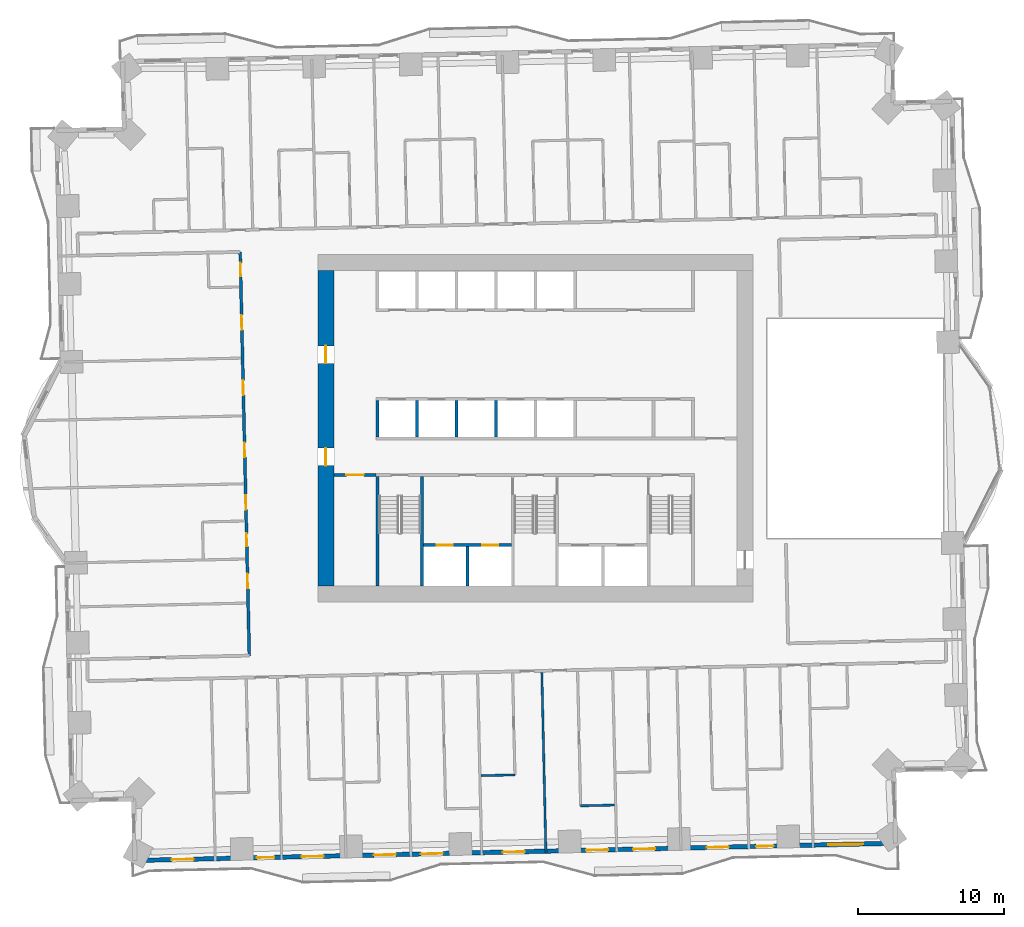
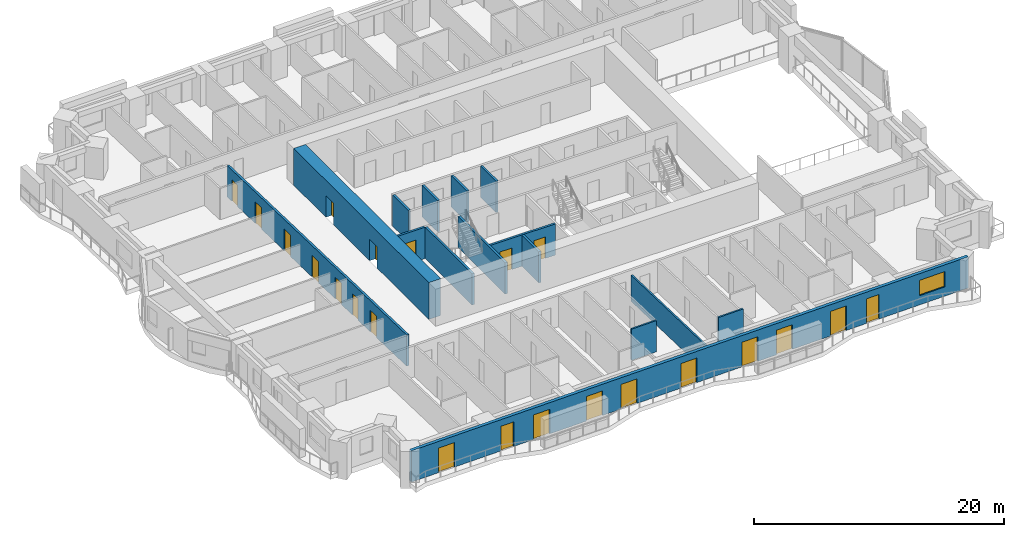
# One storey, part 6 of 16: 22 doors, 15 walls, 1 window, 23 openings.
"""IFC4 building model written with IfcOpenShell, lengths in metres."""

from ifc_helpers import new_model, si_unit, direction, frame, frame_2d, origin, place, context, subcontext, project, spatial, rectangle, extrude, material, layer, layer_set, type_object, element, fill, save


model = new_model("IFC4")

# Units and contexts
model_context = context("Model", 3, precision=1e-05, world=origin(), true_north=direction((0.0, 1.0)))
body_context = subcontext(model_context, "Body", "Model", "MODEL_VIEW")
ifc_project = project(units=[si_unit("LENGTHUNIT", "METRE"), si_unit("AREAUNIT", "SQUARE_METRE"), si_unit("VOLUMEUNIT", "CUBIC_METRE"), si_unit("PLANEANGLEUNIT", "RADIAN"), si_unit("MASSUNIT", "GRAM", prefix="KILO")], contexts=[model_context])

# Site, building, storey
site_placement = place(None, origin())
site = spatial("IfcSite", under=ifc_project, at=site_placement, CompositionType="ELEMENT")
building_placement = place(site_placement, origin())
building = spatial("IfcBuilding", under=site, at=building_placement, Name="Mangrove Gate Tower", CompositionType="ELEMENT")
storey_placement = place(building_placement, frame((0.0, 0.0, 37.699951171875)))
storey = spatial("IfcBuildingStorey", under=building, at=storey_placement, Name="L08", CompositionType="ELEMENT", Elevation=37.699951171875)

# Wall, opening, door
ifc_material_1 = material(Name="Concrete C32/40", Category="concrete")
ifc_layer_1 = layer(ifc_material_1, 0.199951171875)
ifc_layer_set_1 = layer_set([ifc_layer_1], Name="Core lobby wall 200 C32/40")
wall_type_1 = type_object("IfcWallType", Name="Core lobby wall 200 C32/40", PredefinedType="STANDARD", material=ifc_layer_set_1)
wall_1_placement = place(storey_placement, frame((-13.800048828125, -3.199951171875, 0.0), z_axis=(0.0, 0.0, 1.0), x_axis=(1.0, 0.0, 0.0)))
wall_1 = element("IfcWall", 1, at=wall_1_placement, inside=storey, type_object=wall_type_1, Name="WALL-L08-CORE-34", PredefinedType="STANDARD", context=body_context, shape_type="SweptSolid", body=[
    extrude(rectangle(XDim=2.900146484375, YDim=0.199951171875, at=frame_2d((1.4501953125, 0.0))), origin(), (0.0, 0.0, 1.0), 3.050048828125),
])
opening_1_placement = place(wall_1_placement, frame((0.85009765625, 0.0, 0.0)))
opening_1 = element("IfcOpeningElement", 2, at=opening_1_placement, cuts=wall_1, Name="Opening FL12", PredefinedType="OPENING", context=body_context, shape_type="SweptSolid", body=[
    extrude(rectangle(XDim=1.199951171875, YDim=2.10009765625, at=frame_2d((0.60009765625, 1.050048828125))), frame((0.0, 0.10986328125, 0.0), z_axis=(0.0, -1.0, 0.0), x_axis=(1.0, 0.0, 0.0)), (0.0, 0.0, 1.0), 0.219970703125),
])
ifc_material_2 = material(Name="Fire-rated steel door set", Category="steel")
door_type_1 = type_object("IfcDoorType", Name="Lobby door FD60 1200x2100", OperationType="SINGLE_SWING_LEFT", PredefinedType="DOOR", material=ifc_material_2)
door_1_placement = place(opening_1_placement, origin())
door_1 = element("IfcDoor", 3, at=door_1_placement, inside=storey, type_object=door_type_1, Name="Lobby door core corridor W partition", OperationType="SINGLE_SWING_LEFT", OverallHeight=2.10009765625, OverallWidth=1.199951171875, PredefinedType="DOOR", context=body_context, shape_type="SweptSolid", body=[
    extrude(rectangle(XDim=1.199951171875, YDim=2.10009765625, at=frame_2d((0.60009765625, 1.050048828125))), frame((0.0, 0.02490234375, 0.0), z_axis=(0.0, -1.0, 0.0), x_axis=(1.0, 0.0, 0.0)), (0.0, 0.0, 1.0), 0.050048828125),
])
fill(opening_1, door_1)

# Wall, openings, doors
ifc_material_3 = material(Name="Concrete C70/85", Category="concrete")
ifc_layer_2 = layer(ifc_material_3, 0.199951171875)
ifc_layer_set_2 = layer_set([ifc_layer_2], Name="Core shaft wall 200 C70/85")
wall_type_2 = type_object("IfcWallType", Name="Core shaft wall 200 C70/85", PredefinedType="SHEAR", material=ifc_layer_set_2)
wall_2_placement = place(storey_placement, frame((-7.64990234375, -8.0, 0.0), z_axis=(0.0, 0.0, 1.0), x_axis=(1.0, 0.0, 0.0)))
wall_2 = element("IfcWall", 4, at=wall_2_placement, inside=storey, type_object=wall_type_2, Name="WALL-L08-CORE-15", PredefinedType="SHEAR", context=body_context, shape_type="SweptSolid", body=[
    extrude(rectangle(XDim=6.0, YDim=0.199951171875, at=frame_2d((3.0, 0.0))), origin(), (0.0, 0.0, 1.0), 3.050048828125),
])
opening_2_placement = place(wall_2_placement, frame((0.89990234375, 0.0, 0.0)))
opening_2 = element("IfcOpeningElement", 5, at=opening_2_placement, cuts=wall_2, Name="Opening LD", PredefinedType="OPENING", context=body_context, shape_type="SweptSolid", body=[
    extrude(rectangle(XDim=1.10009765625, YDim=2.10009765625, at=frame_2d((0.550048828125, 1.050048828125))), frame((0.0, 0.10986328125, 0.0), z_axis=(0.0, -1.0, 0.0), x_axis=(1.0, 0.0, 0.0)), (0.0, 0.0, 1.0), 0.219970703125),
])
opening_3_placement = place(wall_2_placement, frame((4.0, 0.0, 0.0)))
opening_3 = element("IfcOpeningElement", 6, at=opening_3_placement, cuts=wall_2, Name="Opening LD", PredefinedType="OPENING", context=body_context, shape_type="SweptSolid", body=[
    extrude(rectangle(XDim=1.10009765625, YDim=2.10009765625, at=frame_2d((0.550048828125, 1.050048828125))), frame((0.0, 0.10986328125, 0.0), z_axis=(0.0, -1.0, 0.0), x_axis=(1.0, 0.0, 0.0)), (0.0, 0.0, 1.0), 0.219970703125),
])
ifc_material_4 = material(Name="Stainless steel 316", Category="steel")
door_type_2 = type_object("IfcDoorType", Name="Lift landing door 1100x2100", OperationType="SLIDING_TO_LEFT", PredefinedType="DOOR", material=ifc_material_4)
door_2_placement = place(opening_2_placement, origin())
door_2 = element("IfcDoor", 7, at=door_2_placement, inside=storey, type_object=door_type_2, Name="Landing door LD SVL1", OperationType="SLIDING_TO_LEFT", OverallHeight=2.10009765625, OverallWidth=1.10009765625, PredefinedType="DOOR", context=body_context, shape_type="SweptSolid", body=[
    extrude(rectangle(XDim=1.10009765625, YDim=2.10009765625, at=frame_2d((0.550048828125, 1.050048828125))), frame((0.0, 0.02490234375, 0.0), z_axis=(0.0, -1.0, 0.0), x_axis=(1.0, 0.0, 0.0)), (0.0, 0.0, 1.0), 0.050048828125),
])
fill(opening_2, door_2)
door_3_placement = place(opening_3_placement, origin())
door_3 = element("IfcDoor", 8, at=door_3_placement, inside=storey, type_object=door_type_2, Name="Landing door LD SVL2", OperationType="SLIDING_TO_LEFT", OverallHeight=2.10009765625, OverallWidth=1.10009765625, PredefinedType="DOOR", context=body_context, shape_type="SweptSolid", body=[
    extrude(rectangle(XDim=1.10009765625, YDim=2.10009765625, at=frame_2d((0.550048828125, 1.050048828125))), frame((0.0, 0.02490234375, 0.0), z_axis=(0.0, -1.0, 0.0), x_axis=(1.0, 0.0, 0.0)), (0.0, 0.0, 1.0), 0.050048828125),
])
fill(opening_3, door_3)

# Walls
wall_3_placement = place(storey_placement, frame((-4.64990234375, -10.800048828125, 0.0), z_axis=(0.0, 0.0, 1.0), x_axis=(0.0, 1.0, 0.0)))
element("IfcWall", 9, at=wall_3_placement, inside=storey, type_object=wall_type_2, Name="WALL-L08-CORE-16", PredefinedType="SHEAR", context=body_context, shape_type="SweptSolid", body=[
    extrude(rectangle(XDim=2.699951171875, YDim=0.199951171875, at=frame_2d((1.35009765625, 0.0))), origin(), (0.0, 0.0, 1.0), 3.050048828125),
])
for number, where, z_axis, x_axis, name in (
    (10, (-10.800048828125, -0.60009765625, 0.0), (0.0, 0.0, 1.0), (0.0, 1.0, 0.0), "WALL-L08-CORE-19"),
    (11, (-8.10009765625, -0.60009765625, 0.0), (0.0, 0.0, 1.0), (0.0, 1.0, 0.0), "WALL-L08-CORE-20"),
    (12, (-5.39990234375, -0.60009765625, 0.0), (0.0, 0.0, 1.0), (0.0, 1.0, 0.0), "WALL-L08-CORE-21"),
    (13, (-2.699951171875, -0.60009765625, 0.0), (0.0, 0.0, 1.0), (0.0, 1.0, 0.0), "WALL-L08-CORE-22"),
):
    element("IfcWall", number, at=place(storey_placement, frame(where, z_axis=z_axis, x_axis=x_axis)), inside=storey, type_object=wall_type_2, Name=name, PredefinedType="SHEAR", context=body_context, shape_type="SweptSolid", body=[
        extrude(rectangle(XDim=2.5, YDim=0.199951171875, at=frame_2d((1.25, 0.0))), origin(), (0.0, 0.0, 1.0), 3.050048828125),
    ])
ifc_material_5 = material(Name="Concrete C70/85", Category="concrete")
ifc_layer_3 = layer(ifc_material_5, 0.199951171875)
ifc_layer_set_3 = layer_set([ifc_layer_3], Name="Core stair wall 200 C70/85")
wall_type_3 = type_object("IfcWallType", Name="Core stair wall 200 C70/85", PredefinedType="SHEAR", material=ifc_layer_set_3)
for number, where, z_axis, x_axis, name in (
    (14, (-10.800048828125, -10.800048828125, 0.0), (0.0, 0.0, 1.0), (0.0, 1.0, 0.0), "WALL-L08-CORE-9"),
    (15, (-7.75, -10.800048828125, 0.0), (0.0, 0.0, 1.0), (0.0, 1.0, 0.0), "WALL-L08-CORE-10"),
):
    element("IfcWall", number, at=place(storey_placement, frame(where, z_axis=z_axis, x_axis=x_axis)), inside=storey, type_object=wall_type_3, Name=name, PredefinedType="SHEAR", context=body_context, shape_type="SweptSolid", body=[
        extrude(rectangle(XDim=7.5, YDim=0.199951171875, at=frame_2d((3.75, 0.0))), origin(), (0.0, 0.0, 1.0), 3.050048828125),
    ])

# Wall, openings, doors
ifc_material_6 = material(Name="Concrete C70/85", Category="concrete")
ifc_layer_4 = layer(ifc_material_6, 1.10009765625)
ifc_layer_set_4 = layer_set([ifc_layer_4], Name="Core wall 1100 C70/85")
wall_type_4 = type_object("IfcWallType", Name="Core wall 1100 C70/85", PredefinedType="SHEAR", material=ifc_layer_set_4)
wall_4_placement = place(storey_placement, frame((-14.35009765625, -10.800048828125, 0.0), z_axis=(0.0, 0.0, 1.0), x_axis=(0.0, 1.0, 0.0)))
wall_4 = element("IfcWall", 16, at=wall_4_placement, inside=storey, type_object=wall_type_4, Name="WALL-L08-CORE-3", PredefinedType="SHEAR", context=body_context, shape_type="SweptSolid", body=[
    extrude(rectangle(XDim=21.60009765625, YDim=1.10009765625, at=frame_2d((10.800048828125, 0.0))), origin(), (0.0, 0.0, 1.0), 3.60009765625),
])
opening_4_placement = place(wall_4_placement, frame((8.25, 0.0, 0.0)))
opening_4 = element("IfcOpeningElement", 17, at=opening_4_placement, cuts=wall_4, Name="Opening CD", PredefinedType="OPENING", context=body_context, shape_type="SweptSolid", body=[
    extrude(rectangle(XDim=1.199951171875, YDim=2.10009765625, at=frame_2d((0.60009765625, 1.050048828125))), frame((0.0, 0.56005859375, 0.0), z_axis=(0.0, -1.0, 0.0), x_axis=(1.0, 0.0, 0.0)), (0.0, 0.0, 1.0), 1.1201171875),
])
opening_5_placement = place(wall_4_placement, frame((15.25, 0.0, 0.0)))
opening_5 = element("IfcOpeningElement", 18, at=opening_5_placement, cuts=wall_4, Name="Opening CD", PredefinedType="OPENING", context=body_context, shape_type="SweptSolid", body=[
    extrude(rectangle(XDim=1.199951171875, YDim=2.10009765625, at=frame_2d((0.60009765625, 1.050048828125))), frame((0.0, 0.56005859375, 0.0), z_axis=(0.0, -1.0, 0.0), x_axis=(1.0, 0.0, 0.0)), (0.0, 0.0, 1.0), 1.1201171875),
])
ifc_material_7 = material(Name="Fire-rated steel door set", Category="steel")
door_type_3 = type_object("IfcDoorType", Name="Core ring door FD60 1200x2100", OperationType="DOUBLE_DOOR_SINGLE_SWING", PredefinedType="DOOR", material=ifc_material_7)
door_4_placement = place(opening_4_placement, origin())
door_4 = element("IfcDoor", 19, at=door_4_placement, inside=storey, type_object=door_type_3, Name="Core ring door W1", OperationType="DOUBLE_DOOR_SINGLE_SWING", OverallHeight=2.10009765625, OverallWidth=1.199951171875, PredefinedType="DOOR", context=body_context, shape_type="SweptSolid", body=[
    extrude(rectangle(XDim=1.199951171875, YDim=2.10009765625, at=frame_2d((0.60009765625, 1.050048828125))), frame((0.0, 0.02490234375, 0.0), z_axis=(0.0, -1.0, 0.0), x_axis=(1.0, 0.0, 0.0)), (0.0, 0.0, 1.0), 0.050048828125),
])
fill(opening_4, door_4)
door_5_placement = place(opening_5_placement, origin())
door_5 = element("IfcDoor", 20, at=door_5_placement, inside=storey, type_object=door_type_3, Name="Core ring door W2", OperationType="DOUBLE_DOOR_SINGLE_SWING", OverallHeight=2.10009765625, OverallWidth=1.199951171875, PredefinedType="DOOR", context=body_context, shape_type="SweptSolid", body=[
    extrude(rectangle(XDim=1.199951171875, YDim=2.10009765625, at=frame_2d((0.60009765625, 1.050048828125))), frame((0.0, 0.02490234375, 0.0), z_axis=(0.0, -1.0, 0.0), x_axis=(1.0, 0.0, 0.0)), (0.0, 0.0, 1.0), 0.050048828125),
])
fill(opening_5, door_5)

ifc_material_8 = material(Name="Gypsum board on steel stud, EI 60", Category="steel")
ifc_layer_5 = layer(ifc_material_8, 0.199951171875)
ifc_layer_set_5 = layer_set([ifc_layer_5], Name="Corridor wall EI 60")
wall_type_5 = type_object("IfcWallType", Name="Corridor wall EI 60", PredefinedType="PARTITIONING", material=ifc_layer_set_5)
wall_5_placement = place(storey_placement, frame((-19.589111328125, -15.56201171875, 0.0), z_axis=(0.0, 0.0, 1.0), x_axis=(-0.02267447203, 0.999742901109, 0.0)))
wall_5 = element("IfcWall", 21, at=wall_5_placement, inside=storey, type_object=wall_type_5, Name="WALL-L08-036", PredefinedType="PARTITIONING", context=body_context, shape_type="SweptSolid", body=[
    extrude(rectangle(XDim=27.650146484375, YDim=0.199951171875, at=frame_2d((13.8251953125, 0.0))), origin(), (0.0, 0.0, 1.0), 3.050048828125),
])
opening_6_placement = place(wall_5_placement, frame((22.31298828125, 0.0, 0.0)))
opening_6 = element("IfcOpeningElement", 22, at=opening_6_placement, cuts=wall_5, Name="Opening AD", PredefinedType="OPENING", context=body_context, shape_type="SweptSolid", body=[
    extrude(rectangle(XDim=1.0, YDim=2.10009765625, at=frame_2d((0.5, 1.050048828125))), frame((0.0, 0.10986328125, 0.0), z_axis=(0.0, -1.0, 0.0), x_axis=(1.0, 0.0, 0.0)), (0.0, 0.0, 1.0), 0.219970703125),
])
opening_7_placement = place(wall_5_placement, frame((26.0, 0.0, 0.0)))
opening_7 = element("IfcOpeningElement", 23, at=opening_7_placement, cuts=wall_5, Name="Opening SD", PredefinedType="OPENING", context=body_context, shape_type="SweptSolid", body=[
    extrude(rectangle(XDim=0.89990234375, YDim=2.10009765625, at=frame_2d((0.449951171875, 1.050048828125))), frame((0.0, 0.10986328125, 0.0), z_axis=(0.0, -1.0, 0.0), x_axis=(1.0, 0.0, 0.0)), (0.0, 0.0, 1.0), 0.219970703125),
])
opening_8_placement = place(wall_5_placement, frame((17.843017578125, 0.0, 0.0)))
opening_8 = element("IfcOpeningElement", 24, at=opening_8_placement, cuts=wall_5, Name="Opening AD", PredefinedType="OPENING", context=body_context, shape_type="SweptSolid", body=[
    extrude(rectangle(XDim=1.0, YDim=2.10009765625, at=frame_2d((0.5, 1.050048828125))), frame((0.0, 0.10986328125, 0.0), z_axis=(0.0, -1.0, 0.0), x_axis=(1.0, 0.0, 0.0)), (0.0, 0.0, 1.0), 0.219970703125),
])
opening_9_placement = place(wall_5_placement, frame((13.592041015625, 0.0, 0.0)))
opening_9 = element("IfcOpeningElement", 25, at=opening_9_placement, cuts=wall_5, Name="Opening AD", PredefinedType="OPENING", context=body_context, shape_type="SweptSolid", body=[
    extrude(rectangle(XDim=1.0, YDim=2.10009765625, at=frame_2d((0.5, 1.050048828125))), frame((0.0, 0.10986328125, 0.0), z_axis=(0.0, -1.0, 0.0), x_axis=(1.0, 0.0, 0.0)), (0.0, 0.0, 1.0), 0.219970703125),
])
opening_10_placement = place(wall_5_placement, frame((10.0, 0.0, 0.0)))
opening_10 = element("IfcOpeningElement", 26, at=opening_10_placement, cuts=wall_5, Name="Opening AD", PredefinedType="OPENING", context=body_context, shape_type="SweptSolid", body=[
    extrude(rectangle(XDim=1.0, YDim=2.10009765625, at=frame_2d((0.5, 1.050048828125))), frame((0.0, 0.10986328125, 0.0), z_axis=(0.0, -1.0, 0.0), x_axis=(1.0, 0.0, 0.0)), (0.0, 0.0, 1.0), 0.219970703125),
])
opening_11_placement = place(wall_5_placement, frame((7.47509765625, 0.0, 0.0)))
opening_11 = element("IfcOpeningElement", 27, at=opening_11_placement, cuts=wall_5, Name="Opening SD", PredefinedType="OPENING", context=body_context, shape_type="SweptSolid", body=[
    extrude(rectangle(XDim=0.89990234375, YDim=2.10009765625, at=frame_2d((0.449951171875, 1.050048828125))), frame((0.0, 0.10986328125, 0.0), z_axis=(0.0, -1.0, 0.0), x_axis=(1.0, 0.0, 0.0)), (0.0, 0.0, 1.0), 0.219970703125),
])
opening_12_placement = place(wall_5_placement, frame((4.613037109375, 0.0, 0.0)))
opening_12 = element("IfcOpeningElement", 28, at=opening_12_placement, cuts=wall_5, Name="Opening AD", PredefinedType="OPENING", context=body_context, shape_type="SweptSolid", body=[
    extrude(rectangle(XDim=1.0, YDim=2.10009765625, at=frame_2d((0.5, 1.050048828125))), frame((0.0, 0.10986328125, 0.0), z_axis=(0.0, -1.0, 0.0), x_axis=(1.0, 0.0, 0.0)), (0.0, 0.0, 1.0), 0.219970703125),
])
ifc_material_9 = material(Name="Timber door leaf", Category="wood")
door_type_4 = type_object("IfcDoorType", Name="Amenity door 1000", OperationType="SINGLE_SWING_LEFT", PredefinedType="DOOR", material=ifc_material_9)
door_6_placement = place(opening_6_placement, origin())
door_6 = element("IfcDoor", 29, at=door_6_placement, inside=storey, type_object=door_type_4, Name="DOOR-L08-GAM-c5b", OperationType="SINGLE_SWING_LEFT", OverallHeight=2.10009765625, OverallWidth=1.0, PredefinedType="DOOR", context=body_context, shape_type="SweptSolid", body=[
    extrude(rectangle(XDim=1.0, YDim=2.10009765625, at=frame_2d((0.5, 1.050048828125))), frame((0.0, 0.02490234375, 0.0), z_axis=(0.0, -1.0, 0.0), x_axis=(1.0, 0.0, 0.0)), (0.0, 0.0, 1.0), 0.050048828125),
])
fill(opening_6, door_6)
door_7_placement = place(opening_8_placement, origin())
door_7 = element("IfcDoor", 30, at=door_7_placement, inside=storey, type_object=door_type_4, Name="DOOR-L08-KIT-c5a", OperationType="SINGLE_SWING_RIGHT", OverallHeight=2.10009765625, OverallWidth=1.0, PredefinedType="DOOR", context=body_context, shape_type="SweptSolid", body=[
    extrude(rectangle(XDim=1.0, YDim=2.10009765625, at=frame_2d((0.5, 1.050048828125))), frame((0.0, 0.02490234375, 0.0), z_axis=(0.0, -1.0, 0.0), x_axis=(1.0, 0.0, 0.0)), (0.0, 0.0, 1.0), 0.050048828125),
])
fill(opening_8, door_7)
door_8_placement = place(opening_9_placement, origin())
door_8 = element("IfcDoor", 31, at=door_8_placement, inside=storey, type_object=door_type_4, Name="DOOR-L08-GAM-c5c", OperationType="SINGLE_SWING_LEFT", OverallHeight=2.10009765625, OverallWidth=1.0, PredefinedType="DOOR", context=body_context, shape_type="SweptSolid", body=[
    extrude(rectangle(XDim=1.0, YDim=2.10009765625, at=frame_2d((0.5, 1.050048828125))), frame((0.0, 0.02490234375, 0.0), z_axis=(0.0, -1.0, 0.0), x_axis=(1.0, 0.0, 0.0)), (0.0, 0.0, 1.0), 0.050048828125),
])
fill(opening_9, door_8)
door_9_placement = place(opening_10_placement, origin())
door_9 = element("IfcDoor", 32, at=door_9_placement, inside=storey, type_object=door_type_4, Name="DOOR-L08-GAM-c5d", OperationType="SINGLE_SWING_RIGHT", OverallHeight=2.10009765625, OverallWidth=1.0, PredefinedType="DOOR", context=body_context, shape_type="SweptSolid", body=[
    extrude(rectangle(XDim=1.0, YDim=2.10009765625, at=frame_2d((0.5, 1.050048828125))), frame((0.0, 0.02490234375, 0.0), z_axis=(0.0, -1.0, 0.0), x_axis=(1.0, 0.0, 0.0)), (0.0, 0.0, 1.0), 0.050048828125),
])
fill(opening_10, door_9)
door_10_placement = place(opening_12_placement, origin())
door_10 = element("IfcDoor", 33, at=door_10_placement, inside=storey, type_object=door_type_4, Name="DOOR-L08-STU-c5a", OperationType="SINGLE_SWING_LEFT", OverallHeight=2.10009765625, OverallWidth=1.0, PredefinedType="DOOR", context=body_context, shape_type="SweptSolid", body=[
    extrude(rectangle(XDim=1.0, YDim=2.10009765625, at=frame_2d((0.5, 1.050048828125))), frame((0.0, 0.02490234375, 0.0), z_axis=(0.0, -1.0, 0.0), x_axis=(1.0, 0.0, 0.0)), (0.0, 0.0, 1.0), 0.050048828125),
])
fill(opening_12, door_10)
ifc_material_10 = material(Name="Timber door leaf", Category="wood")
door_type_5 = type_object("IfcDoorType", Name="Service room door 900", OperationType="SINGLE_SWING_LEFT", PredefinedType="DOOR", material=ifc_material_10)
door_11_placement = place(opening_7_placement, origin())
door_11 = element("IfcDoor", 34, at=door_11_placement, inside=storey, type_object=door_type_5, Name="DOOR-L08-LIN-c5b", OperationType="SINGLE_SWING_RIGHT", OverallHeight=2.10009765625, OverallWidth=0.89990234375, PredefinedType="DOOR", context=body_context, shape_type="SweptSolid", body=[
    extrude(rectangle(XDim=0.89990234375, YDim=2.10009765625, at=frame_2d((0.449951171875, 1.050048828125))), frame((0.0, 0.02490234375, 0.0), z_axis=(0.0, -1.0, 0.0), x_axis=(1.0, 0.0, 0.0)), (0.0, 0.0, 1.0), 0.050048828125),
])
fill(opening_7, door_11)
door_12_placement = place(opening_11_placement, origin())
door_12 = element("IfcDoor", 35, at=door_12_placement, inside=storey, type_object=door_type_5, Name="DOOR-L08-AWC-c5a", OperationType="SINGLE_SWING_LEFT", OverallHeight=2.10009765625, OverallWidth=0.89990234375, PredefinedType="DOOR", context=body_context, shape_type="SweptSolid", body=[
    extrude(rectangle(XDim=0.89990234375, YDim=2.10009765625, at=frame_2d((0.449951171875, 1.050048828125))), frame((0.0, 0.02490234375, 0.0), z_axis=(0.0, -1.0, 0.0), x_axis=(1.0, 0.0, 0.0)), (0.0, 0.0, 1.0), 0.050048828125),
])
fill(opening_11, door_12)

# Wall, openings, doors, window
ifc_material_11 = material(Name="Limestone", Category="masonry")
ifc_layer_6 = layer(ifc_material_11, 0.0400390625, Name="Limestone cladding")
ifc_material_12 = material(Name="Ventilated air gap")
ifc_layer_7 = layer(ifc_material_12, 0.0400390625, Name="Ventilated cavity")
ifc_material_13 = material(Name="Mineral wool insulation")
ifc_layer_8 = layer(ifc_material_13, 0.06005859375, Name="Insulation")
ifc_material_14 = material(Name="Breather membrane")
ifc_layer_9 = layer(ifc_material_14, 0.001953125, Name="Breather membrane")
ifc_material_15 = material(Name="Concrete C20/25 blockwork", Category="masonry")
ifc_layer_10 = layer(ifc_material_15, 0.14990234375, Name="Blockwork backing wall")
ifc_material_16 = material(Name="Gypsum plaster")
ifc_layer_11 = layer(ifc_material_16, 0.008056640625, Name="Internal plaster")
ifc_layer_set_6 = layer_set([ifc_layer_6, ifc_layer_7, ifc_layer_8, ifc_layer_9, ifc_layer_10, ifc_layer_11], Name="External wall 300 limestone cladding")
wall_type_6 = type_object("IfcWallType", Name="External wall 300 limestone cladding", PredefinedType="SOLIDWALL", material=ifc_layer_set_6)
wall_6_placement = place(storey_placement, frame((-27.423095703125, -29.593017578125, 0.0), z_axis=(0.0, 0.0, 1.0), x_axis=(0.999742563204, 0.022689365739, 0.0)))
wall_6 = element("IfcWall", 36, at=wall_6_placement, inside=storey, type_object=wall_type_6, Name="WALL-L08-S13", PredefinedType="SOLIDWALL", context=body_context, shape_type="SweptSolid", body=[
    extrude(rectangle(XDim=52.1005859375, YDim=0.300048828125, at=frame_2d((26.05029296875, 0.0))), origin(), (0.0, 0.0, 1.0), 3.050048828125),
])
opening_13_placement = place(wall_6_placement, frame((2.51708984375, 0.0, 0.0)))
opening_13 = element("IfcOpeningElement", 37, at=opening_13_placement, cuts=wall_6, Name="Opening BD1", PredefinedType="OPENING", context=body_context, shape_type="SweptSolid", body=[
    extrude(rectangle(XDim=1.5, YDim=2.39990234375, at=frame_2d((0.75, 1.199951171875))), frame((0.0, 0.159912109375, 0.0), z_axis=(0.0, -1.0, 0.0), x_axis=(1.0, 0.0, 0.0)), (0.0, 0.0, 1.0), 0.320068359375),
])
opening_14_placement = place(wall_6_placement, frame((8.35595703125, 0.0, 0.0)))
opening_14 = element("IfcOpeningElement", 38, at=opening_14_placement, cuts=wall_6, Name="Opening BD2", PredefinedType="OPENING", context=body_context, shape_type="SweptSolid", body=[
    extrude(rectangle(XDim=1.199951171875, YDim=2.39990234375, at=frame_2d((0.60009765625, 1.199951171875))), frame((0.0, 0.159912109375, 0.0), z_axis=(0.0, -1.0, 0.0), x_axis=(1.0, 0.0, 0.0)), (0.0, 0.0, 1.0), 0.320068359375),
])
opening_15_placement = place(wall_6_placement, frame((11.423095703125, 0.0, 0.0)))
opening_15 = element("IfcOpeningElement", 39, at=opening_15_placement, cuts=wall_6, Name="Opening BD1", PredefinedType="OPENING", context=body_context, shape_type="SweptSolid", body=[
    extrude(rectangle(XDim=1.5, YDim=2.39990234375, at=frame_2d((0.75, 1.199951171875))), frame((0.0, 0.159912109375, 0.0), z_axis=(0.0, -1.0, 0.0), x_axis=(1.0, 0.0, 0.0)), (0.0, 0.0, 1.0), 0.320068359375),
])
opening_16_placement = place(wall_6_placement, frame((16.373046875, 0.0, 0.0)))
opening_16 = element("IfcOpeningElement", 40, at=opening_16_placement, cuts=wall_6, Name="Opening BD1", PredefinedType="OPENING", context=body_context, shape_type="SweptSolid", body=[
    extrude(rectangle(XDim=1.5, YDim=2.39990234375, at=frame_2d((0.75, 1.199951171875))), frame((0.0, 0.159912109375, 0.0), z_axis=(0.0, -1.0, 0.0), x_axis=(1.0, 0.0, 0.0)), (0.0, 0.0, 1.0), 0.320068359375),
])
opening_17_placement = place(wall_6_placement, frame((19.591064453125, 0.0, 0.0)))
opening_17 = element("IfcOpeningElement", 41, at=opening_17_placement, cuts=wall_6, Name="Opening BD1", PredefinedType="OPENING", context=body_context, shape_type="SweptSolid", body=[
    extrude(rectangle(XDim=1.5, YDim=2.39990234375, at=frame_2d((0.75, 1.199951171875))), frame((0.0, 0.159912109375, 0.0), z_axis=(0.0, -1.0, 0.0), x_axis=(1.0, 0.0, 0.0)), (0.0, 0.0, 1.0), 0.320068359375),
])
opening_18_placement = place(wall_6_placement, frame((25.199951171875, 0.0, 0.0)))
opening_18 = element("IfcOpeningElement", 42, at=opening_18_placement, cuts=wall_6, Name="Opening BD1", PredefinedType="OPENING", context=body_context, shape_type="SweptSolid", body=[
    extrude(rectangle(XDim=1.5, YDim=2.39990234375, at=frame_2d((0.75, 1.199951171875))), frame((0.0, 0.159912109375, 0.0), z_axis=(0.0, -1.0, 0.0), x_axis=(1.0, 0.0, 0.0)), (0.0, 0.0, 1.0), 0.320068359375),
])
opening_19_placement = place(wall_6_placement, frame((30.908935546875, 0.0, 0.0)))
opening_19 = element("IfcOpeningElement", 43, at=opening_19_placement, cuts=wall_6, Name="Opening BD1", PredefinedType="OPENING", context=body_context, shape_type="SweptSolid", body=[
    extrude(rectangle(XDim=1.5, YDim=2.39990234375, at=frame_2d((0.75, 1.199951171875))), frame((0.0, 0.159912109375, 0.0), z_axis=(0.0, -1.0, 0.0), x_axis=(1.0, 0.0, 0.0)), (0.0, 0.0, 1.0), 0.320068359375),
])
opening_20_placement = place(wall_6_placement, frame((34.126953125, 0.0, 0.0)))
opening_20 = element("IfcOpeningElement", 44, at=opening_20_placement, cuts=wall_6, Name="Opening BD1", PredefinedType="OPENING", context=body_context, shape_type="SweptSolid", body=[
    extrude(rectangle(XDim=1.5, YDim=2.39990234375, at=frame_2d((0.75, 1.199951171875))), frame((0.0, 0.159912109375, 0.0), z_axis=(0.0, -1.0, 0.0), x_axis=(1.0, 0.0, 0.0)), (0.0, 0.0, 1.0), 0.320068359375),
])
opening_21_placement = place(wall_6_placement, frame((39.177001953125, 0.0, 0.0)))
opening_21 = element("IfcOpeningElement", 45, at=opening_21_placement, cuts=wall_6, Name="Opening BD1", PredefinedType="OPENING", context=body_context, shape_type="SweptSolid", body=[
    extrude(rectangle(XDim=1.5, YDim=2.39990234375, at=frame_2d((0.75, 1.199951171875))), frame((0.0, 0.159912109375, 0.0), z_axis=(0.0, -1.0, 0.0), x_axis=(1.0, 0.0, 0.0)), (0.0, 0.0, 1.0), 0.320068359375),
])
opening_22_placement = place(wall_6_placement, frame((42.5439453125, 0.0, 0.0)))
opening_22 = element("IfcOpeningElement", 46, at=opening_22_placement, cuts=wall_6, Name="Opening BD2", PredefinedType="OPENING", context=body_context, shape_type="SweptSolid", body=[
    extrude(rectangle(XDim=1.199951171875, YDim=2.39990234375, at=frame_2d((0.60009765625, 1.199951171875))), frame((0.0, 0.159912109375, 0.0), z_axis=(0.0, -1.0, 0.0), x_axis=(1.0, 0.0, 0.0)), (0.0, 0.0, 1.0), 0.320068359375),
])
opening_23_placement = place(wall_6_placement, frame((47.4970703125, 0.0, 0.89990234375)))
opening_23 = element("IfcOpeningElement", 47, at=opening_23_placement, cuts=wall_6, Name="Opening W2", PredefinedType="OPENING", context=body_context, shape_type="SweptSolid", body=[
    extrude(rectangle(XDim=2.39990234375, YDim=1.5, at=frame_2d((1.199951171875, 0.75))), frame((0.0, 0.159912109375, 0.0), z_axis=(0.0, -1.0, 0.0), x_axis=(1.0, 0.0, 0.0)), (0.0, 0.0, 1.0), 0.320068359375),
])
ifc_material_17 = material(Name="Aluminium frame with laminated clear glass", Category="aluminium")
door_type_6 = type_object("IfcDoorType", Name="Balcony sliding door 1200x2400", OperationType="SLIDING_TO_LEFT", PredefinedType="DOOR", material=ifc_material_17)
door_13_placement = place(opening_14_placement, origin())
door_13 = element("IfcDoor", 48, at=door_13_placement, inside=storey, type_object=door_type_6, Name="DOOR-L08-S13-2", OperationType="SLIDING_TO_LEFT", OverallHeight=2.39990234375, OverallWidth=1.199951171875, PredefinedType="DOOR", context=body_context, shape_type="SweptSolid", body=[
    extrude(rectangle(XDim=1.199951171875, YDim=2.39990234375, at=frame_2d((0.60009765625, 1.199951171875))), frame((0.0, 0.02490234375, 0.0), z_axis=(0.0, -1.0, 0.0), x_axis=(1.0, 0.0, 0.0)), (0.0, 0.0, 1.0), 0.050048828125),
])
fill(opening_14, door_13)
door_14_placement = place(opening_22_placement, origin())
door_14 = element("IfcDoor", 49, at=door_14_placement, inside=storey, type_object=door_type_6, Name="DOOR-L08-S13-10", OperationType="SLIDING_TO_LEFT", OverallHeight=2.39990234375, OverallWidth=1.199951171875, PredefinedType="DOOR", context=body_context, shape_type="SweptSolid", body=[
    extrude(rectangle(XDim=1.199951171875, YDim=2.39990234375, at=frame_2d((0.60009765625, 1.199951171875))), frame((0.0, 0.02490234375, 0.0), z_axis=(0.0, -1.0, 0.0), x_axis=(1.0, 0.0, 0.0)), (0.0, 0.0, 1.0), 0.050048828125),
])
fill(opening_22, door_14)
ifc_material_18 = material(Name="Aluminium frame with laminated clear glass", Category="aluminium")
door_type_7 = type_object("IfcDoorType", Name="Balcony sliding door 1500x2400", OperationType="SLIDING_TO_LEFT", PredefinedType="DOOR", material=ifc_material_18)
door_15_placement = place(opening_13_placement, origin())
door_15 = element("IfcDoor", 50, at=door_15_placement, inside=storey, type_object=door_type_7, Name="DOOR-L08-S13-1", OperationType="SLIDING_TO_LEFT", OverallHeight=2.39990234375, OverallWidth=1.5, PredefinedType="DOOR", context=body_context, shape_type="SweptSolid", body=[
    extrude(rectangle(XDim=1.5, YDim=2.39990234375, at=frame_2d((0.75, 1.199951171875))), frame((0.0, 0.02490234375, 0.0), z_axis=(0.0, -1.0, 0.0), x_axis=(1.0, 0.0, 0.0)), (0.0, 0.0, 1.0), 0.050048828125),
])
fill(opening_13, door_15)
door_16_placement = place(opening_15_placement, origin())
door_16 = element("IfcDoor", 51, at=door_16_placement, inside=storey, type_object=door_type_7, Name="DOOR-L08-S13-3", OperationType="SLIDING_TO_LEFT", OverallHeight=2.39990234375, OverallWidth=1.5, PredefinedType="DOOR", context=body_context, shape_type="SweptSolid", body=[
    extrude(rectangle(XDim=1.5, YDim=2.39990234375, at=frame_2d((0.75, 1.199951171875))), frame((0.0, 0.02490234375, 0.0), z_axis=(0.0, -1.0, 0.0), x_axis=(1.0, 0.0, 0.0)), (0.0, 0.0, 1.0), 0.050048828125),
])
fill(opening_15, door_16)
door_17_placement = place(opening_16_placement, origin())
door_17 = element("IfcDoor", 52, at=door_17_placement, inside=storey, type_object=door_type_7, Name="DOOR-L08-S13-4", OperationType="SLIDING_TO_LEFT", OverallHeight=2.39990234375, OverallWidth=1.5, PredefinedType="DOOR", context=body_context, shape_type="SweptSolid", body=[
    extrude(rectangle(XDim=1.5, YDim=2.39990234375, at=frame_2d((0.75, 1.199951171875))), frame((0.0, 0.02490234375, 0.0), z_axis=(0.0, -1.0, 0.0), x_axis=(1.0, 0.0, 0.0)), (0.0, 0.0, 1.0), 0.050048828125),
])
fill(opening_16, door_17)
door_18_placement = place(opening_17_placement, origin())
door_18 = element("IfcDoor", 53, at=door_18_placement, inside=storey, type_object=door_type_7, Name="DOOR-L08-S13-5", OperationType="SLIDING_TO_LEFT", OverallHeight=2.39990234375, OverallWidth=1.5, PredefinedType="DOOR", context=body_context, shape_type="SweptSolid", body=[
    extrude(rectangle(XDim=1.5, YDim=2.39990234375, at=frame_2d((0.75, 1.199951171875))), frame((0.0, 0.02490234375, 0.0), z_axis=(0.0, -1.0, 0.0), x_axis=(1.0, 0.0, 0.0)), (0.0, 0.0, 1.0), 0.050048828125),
])
fill(opening_17, door_18)
door_19_placement = place(opening_18_placement, origin())
door_19 = element("IfcDoor", 54, at=door_19_placement, inside=storey, type_object=door_type_7, Name="DOOR-L08-S13-6", OperationType="SLIDING_TO_LEFT", OverallHeight=2.39990234375, OverallWidth=1.5, PredefinedType="DOOR", context=body_context, shape_type="SweptSolid", body=[
    extrude(rectangle(XDim=1.5, YDim=2.39990234375, at=frame_2d((0.75, 1.199951171875))), frame((0.0, 0.02490234375, 0.0), z_axis=(0.0, -1.0, 0.0), x_axis=(1.0, 0.0, 0.0)), (0.0, 0.0, 1.0), 0.050048828125),
])
fill(opening_18, door_19)
door_20_placement = place(opening_19_placement, origin())
door_20 = element("IfcDoor", 55, at=door_20_placement, inside=storey, type_object=door_type_7, Name="DOOR-L08-S13-7", OperationType="SLIDING_TO_LEFT", OverallHeight=2.39990234375, OverallWidth=1.5, PredefinedType="DOOR", context=body_context, shape_type="SweptSolid", body=[
    extrude(rectangle(XDim=1.5, YDim=2.39990234375, at=frame_2d((0.75, 1.199951171875))), frame((0.0, 0.02490234375, 0.0), z_axis=(0.0, -1.0, 0.0), x_axis=(1.0, 0.0, 0.0)), (0.0, 0.0, 1.0), 0.050048828125),
])
fill(opening_19, door_20)
door_21_placement = place(opening_20_placement, origin())
door_21 = element("IfcDoor", 56, at=door_21_placement, inside=storey, type_object=door_type_7, Name="DOOR-L08-S13-8", OperationType="SLIDING_TO_LEFT", OverallHeight=2.39990234375, OverallWidth=1.5, PredefinedType="DOOR", context=body_context, shape_type="SweptSolid", body=[
    extrude(rectangle(XDim=1.5, YDim=2.39990234375, at=frame_2d((0.75, 1.199951171875))), frame((0.0, 0.02490234375, 0.0), z_axis=(0.0, -1.0, 0.0), x_axis=(1.0, 0.0, 0.0)), (0.0, 0.0, 1.0), 0.050048828125),
])
fill(opening_20, door_21)
door_22_placement = place(opening_21_placement, origin())
door_22 = element("IfcDoor", 57, at=door_22_placement, inside=storey, type_object=door_type_7, Name="DOOR-L08-S13-9", OperationType="SLIDING_TO_LEFT", OverallHeight=2.39990234375, OverallWidth=1.5, PredefinedType="DOOR", context=body_context, shape_type="SweptSolid", body=[
    extrude(rectangle(XDim=1.5, YDim=2.39990234375, at=frame_2d((0.75, 1.199951171875))), frame((0.0, 0.02490234375, 0.0), z_axis=(0.0, -1.0, 0.0), x_axis=(1.0, 0.0, 0.0)), (0.0, 0.0, 1.0), 0.050048828125),
])
fill(opening_21, door_22)
ifc_material_19 = material(Name="Aluminium frame with double-glazed low-e glass", Category="aluminium")
window_type = type_object("IfcWindowType", Name="Corner room window 2400x1500", PartitioningType="DOUBLE_PANEL_VERTICAL", PredefinedType="WINDOW", material=ifc_material_19)
window_placement = place(opening_23_placement, origin())
window = element("IfcWindow", 58, at=window_placement, inside=storey, type_object=window_type, Name="WIN-L08-S13-11", OverallHeight=1.5, OverallWidth=2.39990234375, PartitioningType="DOUBLE_PANEL_VERTICAL", PredefinedType="WINDOW", context=body_context, shape_type="SweptSolid", body=[
    extrude(rectangle(XDim=2.39990234375, YDim=1.5, at=frame_2d((1.199951171875, 0.75))), frame((0.0, 0.030029296875, 0.0), z_axis=(0.0, -1.0, 0.0), x_axis=(1.0, 0.0, 0.0)), (0.0, 0.0, 1.0), 0.06005859375),
])
fill(opening_23, window)

# Walls
ifc_material_20 = material(Name="Gypsum board on steel stud, EI 60", Category="steel")
ifc_layer_12 = layer(ifc_material_20, 0.14990234375)
ifc_layer_set_7 = layer_set([ifc_layer_12], Name="Party wall 150 EI 60")
wall_type_7 = type_object("IfcWallType", Name="Party wall 150 EI 60", PredefinedType="PARTITIONING", material=ifc_layer_set_7)
wall_7_placement = place(storey_placement, frame((0.722900390625, -29.10400390625, 0.0), z_axis=(0.0, 0.0, 1.0), x_axis=(-0.022663260168, 0.999743155335, 0.0)))
element("IfcWall", 59, at=wall_7_placement, inside=storey, type_object=wall_type_7, Name="WALL-L08-006", PredefinedType="PARTITIONING", context=body_context, shape_type="SweptSolid", body=[
    extrude(rectangle(XDim=12.399169921875, YDim=0.14990234375, at=frame_2d((6.19970703125, 0.0))), origin(), (0.0, 0.0, 1.0), 2.550048828125),
])
wall_8_placement = place(storey_placement, frame((3.10009765625, -25.85009765625, 0.0), z_axis=(0.0, 0.0, 1.0), x_axis=(0.999740478815, 0.022781023197, 0.0)))
element("IfcWall", 60, at=wall_8_placement, inside=storey, type_object=wall_type_7, Name="WALL-L08-013", PredefinedType="PARTITIONING", context=body_context, shape_type="SweptSolid", body=[
    extrude(rectangle(XDim=2.325439453125, YDim=0.14990234375, at=frame_2d((1.16259765625, 0.0))), origin(), (0.0, 0.0, 1.0), 3.050048828125),
])
wall_9_placement = place(storey_placement, frame((-3.722900390625, -23.783935546875, 0.0), z_axis=(0.0, 0.0, 1.0), x_axis=(0.999740260747, 0.02279059109, 0.0)))
element("IfcWall", 61, at=wall_9_placement, inside=storey, type_object=wall_type_7, Name="WALL-L08-023", PredefinedType="PARTITIONING", context=body_context, shape_type="SweptSolid", body=[
    extrude(rectangle(XDim=2.324462890625, YDim=0.14990234375, at=frame_2d((1.162109375, 0.0))), origin(), (0.0, 0.0, 1.0), 3.050048828125),
])

save(model, "model.ifc")
